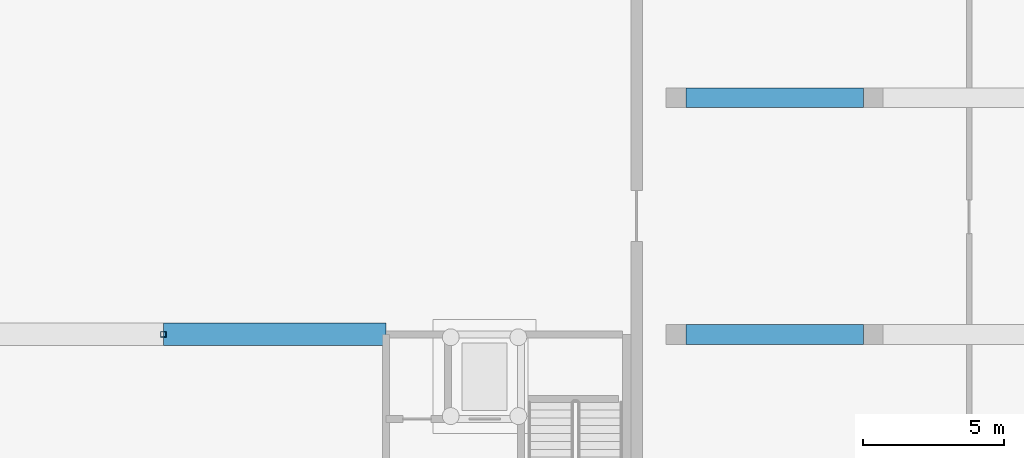
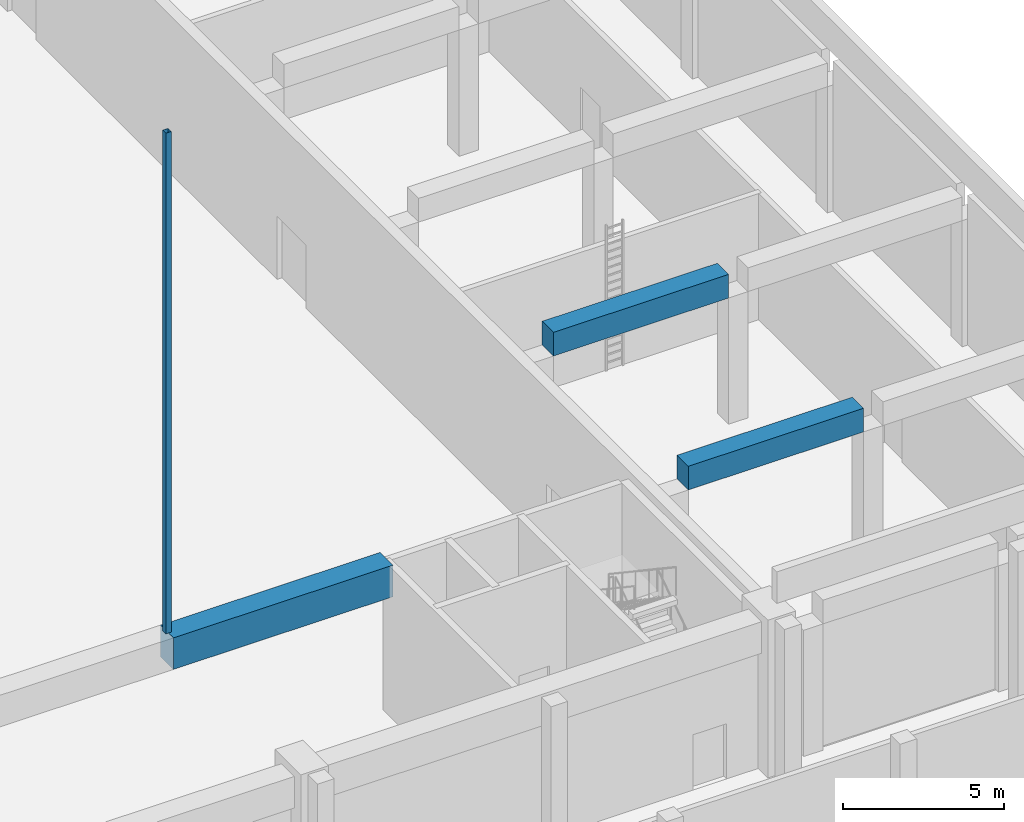
# One storey, part 58 of 210: 3 beams, 1 member.
"""IFC4 building model written with IfcOpenShell, lengths in metres."""

from ifc_helpers import new_model, si_unit, direction, frame, origin, origin_2d, place, context, subcontext, project, spatial, rectangle, hollow_rectangle, extrude, material, material_profile, profile_set, type_object, element, save


model = new_model("IFC4")

# Units and contexts
model_context = context("Model", 3, precision=1e-05, world=origin(), true_north=direction((0.0, 1.0)))
body_context = subcontext(model_context, "Body", "Model", "MODEL_VIEW")
ifc_project = project(units=[si_unit("LENGTHUNIT", "METRE"), si_unit("AREAUNIT", "SQUARE_METRE"), si_unit("VOLUMEUNIT", "CUBIC_METRE"), si_unit("PLANEANGLEUNIT", "RADIAN"), si_unit("MASSUNIT", "GRAM", prefix="KILO")], contexts=[model_context])

# Site, building, storey
site_placement = place(None, origin())
site = spatial("IfcSite", under=ifc_project, at=site_placement, CompositionType="ELEMENT")
building_placement = place(site_placement, origin())
building = spatial("IfcBuilding", under=site, at=building_placement, Name="Rain Tree Exposition and Congress Centre", CompositionType="ELEMENT")
storey_placement = place(building_placement, origin())
storey = spatial("IfcBuildingStorey", under=building, at=storey_placement, Name="L00", CompositionType="ELEMENT", Elevation=0.0)

# Beams
ifc_material_1 = material(Name="Precast concrete C50/60", Category="concrete")
ifc_material_profile_1 = material_profile(ifc_material_1, rectangle(XDim=0.699951171875, YDim=0.89990234375, at=origin_2d()), Name="RC 700x900")
ifc_profile_set_1 = profile_set([ifc_material_profile_1], Name="Precast concrete C50/60")
beam_type_1 = type_object("IfcBeamType", Name="Precast beam 700x900", PredefinedType="BEAM", material=ifc_profile_set_1)
for number, where, z_axis, x_axis, name in (
    (1, (245.35009765625, 109.199951171875, 5.25), (1.0, 0.0, 0.0), (0.0, 1.0, 0.0), "Service roof beam 3"),
    (2, (245.35009765625, 117.60009765625, 5.25), (1.0, 0.0, 0.0), (0.0, 1.0, 0.0), "Service roof beam 5"),
):
    element("IfcBeam", number, at=place(storey_placement, frame(where, z_axis=z_axis, x_axis=x_axis)), inside=storey, type_object=beam_type_1, Name=name, PredefinedType="BEAM", context=body_context, shape_type="SweptSolid", body=[
        extrude(rectangle(XDim=0.699951171875, YDim=0.89990234375, at=origin_2d()), origin(), (0.0, 0.0, 1.0), 6.2998046875),
    ])
ifc_material_2 = material(Name="Precast concrete C50/60", Category="concrete")
ifc_material_profile_2 = material_profile(ifc_material_2, rectangle(XDim=0.800048828125, YDim=1.199951171875, at=origin_2d()), Name="RC 800x1200")
ifc_profile_set_2 = profile_set([ifc_material_profile_2], Name="Precast concrete C50/60")
beam_type_2 = type_object("IfcBeamType", Name="Precast beam 800x1200", PredefinedType="BEAM", material=ifc_profile_set_2)
beam_placement = place(storey_placement, frame((226.800048828125, 109.199951171875, 5.10009765625), z_axis=(1.0, 0.0, 0.0), x_axis=(0.0, 1.0, 0.0)))
element("IfcBeam", 3, at=beam_placement, inside=storey, type_object=beam_type_2, Name="Gallery edge beam 10", PredefinedType="BEAM", context=body_context, shape_type="SweptSolid", body=[
    extrude(rectangle(XDim=0.800048828125, YDim=1.199951171875, at=origin_2d()), origin(), (0.0, 0.0, 1.0), 7.89990234375),
])

# Member
ifc_material_3 = material(Name="Steel S355J2H", Category="steel")
ifc_material_profile_3 = material_profile(ifc_material_3, hollow_rectangle(XDim=0.199951171875, YDim=0.199951171875, WallThickness=0.009033203125, at=origin_2d()), Name="RHS 200x200x9")
ifc_profile_set_3 = profile_set([ifc_material_profile_3], Name="Steel S355J2H")
member_type = type_object("IfcMemberType", Name="Steel member member RHS 200x200x9", PredefinedType="MEMBER", material=ifc_profile_set_3)
member_placement = place(storey_placement, frame((226.800048828125, 109.199951171875, 5.699951171875), z_axis=(0.0, 0.0, 1.0), x_axis=(1.0, 0.0, 0.0)))
element("IfcMember", 4, at=member_placement, inside=storey, type_object=member_type, Name="Gallery hanger 19", PredefinedType="MEMBER", context=body_context, shape_type="SweptSolid", body=[
    extrude(hollow_rectangle(XDim=0.199951171875, YDim=0.199951171875, WallThickness=0.009033203125, at=origin_2d()), origin(), (0.0, 0.0, 1.0), 19.0439453125),
])

save(model, "model.ifc")
